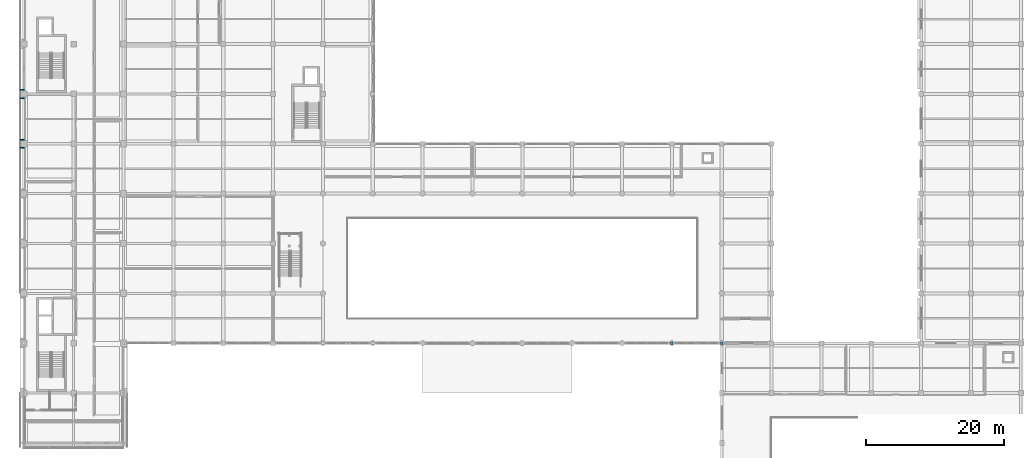
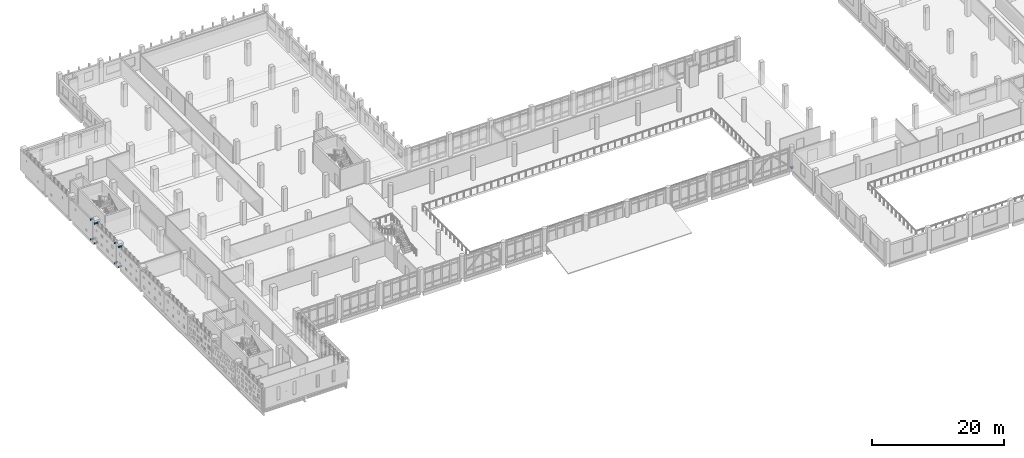
# One storey, part 44 of 57: 10 discrete accessories.
"""IFC4 building model written with IfcOpenShell, lengths in metres."""

from ifc_helpers import new_model, si_unit, direction, frame, origin, origin_2d, place, context, subcontext, project, spatial, rectangle, extrude, material, type_object, element, save


model = new_model("IFC4")

# Units and contexts
model_context = context("Model", 3, precision=1e-05, world=origin(), true_north=direction((0.0, 1.0)))
body_context = subcontext(model_context, "Body", "Model", "MODEL_VIEW")
ifc_project = project(units=[si_unit("LENGTHUNIT", "METRE"), si_unit("AREAUNIT", "SQUARE_METRE"), si_unit("VOLUMEUNIT", "CUBIC_METRE"), si_unit("PLANEANGLEUNIT", "RADIAN"), si_unit("MASSUNIT", "GRAM", prefix="KILO")], contexts=[model_context])

# Site, building, storey
site_placement = place(None, origin())
site = spatial("IfcSite", under=ifc_project, at=site_placement, CompositionType="ELEMENT")
building_placement = place(site_placement, origin())
building = spatial("IfcBuilding", under=site, at=building_placement, Name="Valkovuoma Quantum and Materials Research Institute", CompositionType="ELEMENT")
storey_placement = place(building_placement, frame((0.0, 0.0, 4.800048828125)))
storey = spatial("IfcBuildingStorey", under=building, at=storey_placement, Name="L01", CompositionType="ELEMENT", Elevation=4.800048828125)

# Discrete accessories
ifc_material_1 = material(Name="Steel S355J2", Category="steel")
discrete_accessory_type_1 = type_object("IfcDiscreteAccessoryType", Name="Brk-BRK-01", PredefinedType="BRACKET", material=ifc_material_1)
for number, where, z_axis, x_axis, name in (
    (1, (-0.25, 64.199951171875, -0.0302734375), (0.0, 0.0, 1.0), (1.0, 0.0, 0.0), "L01 screen bracket 00030"),
    (2, (-0.25, 64.199951171875, 3.6201171875), (0.0, 0.0, 1.0), (1.0, 0.0, 0.0), "L01 screen bracket 00032"),
    (3, (-0.25, 65.39990234375, -0.0302734375), (0.0, 0.0, 1.0), (1.0, 0.0, 0.0), "L01 screen bracket 00033"),
    (4, (-0.25, 71.39990234375, -0.0302734375), (0.0, 0.0, 1.0), (1.0, 0.0, 0.0), "L01 screen bracket 00034"),
    (5, (-0.25, 65.39990234375, 3.6201171875), (0.0, 0.0, 1.0), (1.0, 0.0, 0.0), "L01 screen bracket 00035"),
    (6, (-0.25, 71.39990234375, 3.6201171875), (0.0, 0.0, 1.0), (1.0, 0.0, 0.0), "L01 screen bracket 00036"),
    (7, (-0.25, 72.60009765625, -0.0302734375), (0.0, 0.0, 1.0), (1.0, 0.0, 0.0), "L01 screen bracket 00037"),
    (8, (-0.25, 72.60009765625, 3.6201171875), (0.0, 0.0, 1.0), (1.0, 0.0, 0.0), "L01 screen bracket 00039"),
):
    element("IfcDiscreteAccessory", number, at=place(storey_placement, frame(where, z_axis=z_axis, x_axis=x_axis)), inside=storey, type_object=discrete_accessory_type_1, Name=name, PredefinedType="BRACKET", context=body_context, shape_type="SweptSolid", body=[
        extrude(rectangle(XDim=0.580078125, YDim=0.159912109375, at=origin_2d()), origin(), (0.0, 0.0, 1.0), 0.219970703125),
    ])
ifc_material_2 = material(Name="Steel S355J2", Category="steel")
discrete_accessory_type_2 = type_object("IfcDiscreteAccessoryType", Name="Conn-END-01", PredefinedType="BRACKET", material=ifc_material_2)
for number, where, z_axis, x_axis, name in (
    (9, (93.60009765625, 36.0, -0.0703125), (0.0, 0.0, 1.0), (1.0, 0.0, 0.0), "L01 brace end connection assembly 0288"),
    (10, (100.800048828125, 36.0, -0.0703125), (0.0, 0.0, 1.0), (1.0, 0.0, 0.0), "L01 brace end connection assembly 0289"),
):
    element("IfcDiscreteAccessory", number, at=place(storey_placement, frame(where, z_axis=z_axis, x_axis=x_axis)), inside=storey, type_object=discrete_accessory_type_2, Name=name, PredefinedType="BRACKET", context=body_context, shape_type="SweptSolid", body=[
        extrude(rectangle(XDim=0.340087890625, YDim=0.340087890625, at=origin_2d()), origin(), (0.0, 0.0, 1.0), 0.340087890625),
    ])

save(model, "model.ifc")
